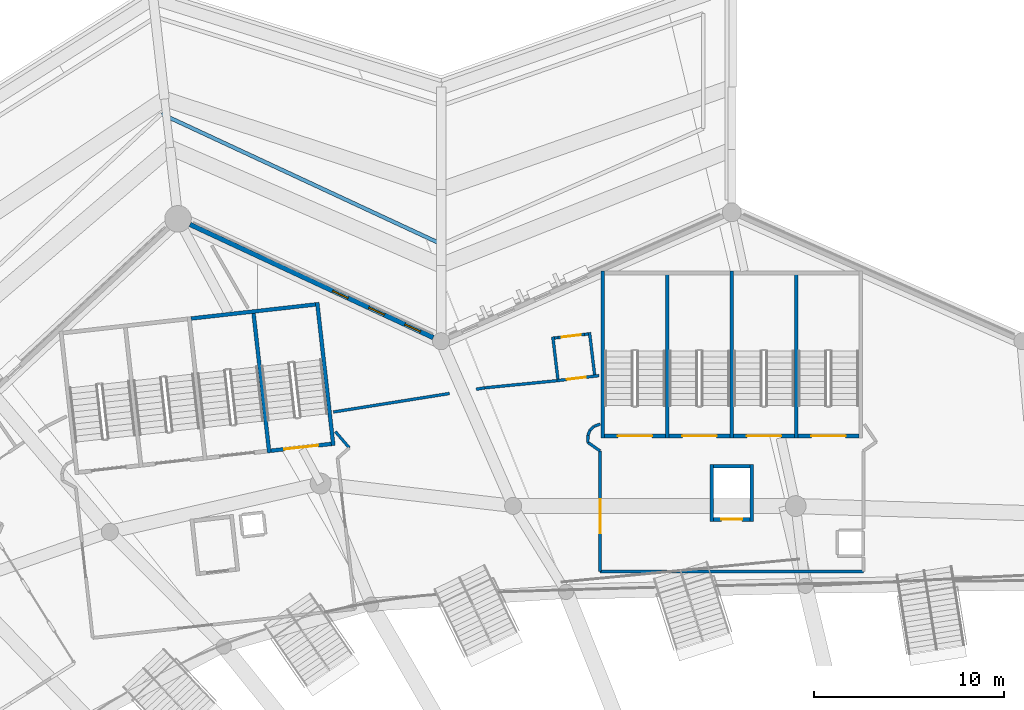
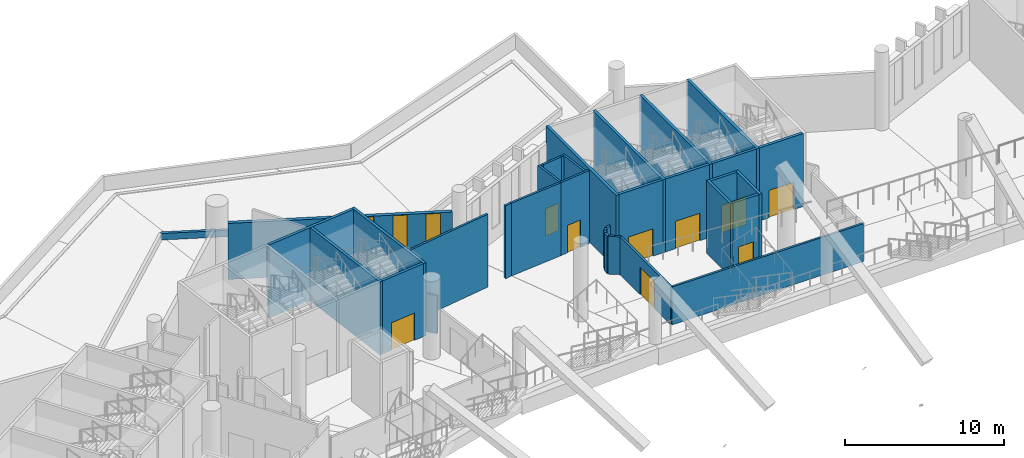
# One storey, part 67 of 173: 35 walls, 9 doors, 3 windows, 12 openings.
"""IFC4 building model written with IfcOpenShell, lengths in metres."""

from ifc_helpers import new_model, si_unit, direction, frame, frame_2d, origin, place, context, subcontext, project, spatial, rectangle, extrude, material, layer, layer_set, type_object, element, fill, save


model = new_model("IFC4")

# Units and contexts
model_context = context("Model", 3, precision=1e-05, world=origin(), true_north=direction((0.0, 1.0)))
body_context = subcontext(model_context, "Body", "Model", "MODEL_VIEW")
ifc_project = project(units=[si_unit("LENGTHUNIT", "METRE"), si_unit("AREAUNIT", "SQUARE_METRE"), si_unit("VOLUMEUNIT", "CUBIC_METRE"), si_unit("PLANEANGLEUNIT", "RADIAN"), si_unit("MASSUNIT", "GRAM", prefix="KILO")], contexts=[model_context])

# Site, building, storey
site_placement = place(None, origin())
site = spatial("IfcSite", under=ifc_project, at=site_placement, CompositionType="ELEMENT")
building_placement = place(site_placement, origin())
building = spatial("IfcBuilding", under=site, at=building_placement, Name="Meseta Stadium", CompositionType="ELEMENT")
storey_placement = place(building_placement, frame((0.0, 0.0, 18.0)))
storey = spatial("IfcBuildingStorey", under=building, at=storey_placement, Name="L03", CompositionType="ELEMENT", Elevation=18.0)

# Walls
ifc_material_1 = material(Name="Concrete C40/50", Category="concrete")
ifc_layer_1 = layer(ifc_material_1, 0.199951171875)
ifc_layer_set_1 = layer_set([ifc_layer_1], Name="Core divider wall 200")
wall_type_1 = type_object("IfcWallType", Name="Core divider wall 200", PredefinedType="SHEAR", material=ifc_layer_set_1)
for number, where, z_axis, x_axis, name in (
    (1, (-19.60009765625, 102.300048828125, 0.0), (0.0, 0.0, 1.0), (0.0, -1.0, 0.0), "Core 11 L03 stair A divider wall"),
    (2, (-26.39990234375, 102.300048828125, 0.0), (0.0, 0.0, 1.0), (0.0, -1.0, 0.0), "Core 11 L03 stair B divider wall"),
):
    element("IfcWall", number, at=place(storey_placement, frame(where, z_axis=z_axis, x_axis=x_axis)), inside=storey, type_object=wall_type_1, Name=name, PredefinedType="SHEAR", context=body_context, shape_type="SweptSolid", body=[
        extrude(rectangle(XDim=8.800048828125, YDim=0.199951171875, at=frame_2d((4.39990234375, 0.0))), origin(), (0.0, 0.0, 1.0), 5.60009765625),
    ])
wall_1_placement = place(storey_placement, frame((-48.241943359375, 100.264892578125, 0.0), z_axis=(0.0, 0.0, 1.0), x_axis=(0.111954577255, -0.993713325176, 0.0)))
element("IfcWall", 3, at=wall_1_placement, inside=storey, type_object=wall_type_1, Name="Core 12 L03 stair A divider wall", PredefinedType="SHEAR", context=body_context, shape_type="SweptSolid", body=[
    extrude(rectangle(XDim=7.599853515625, YDim=0.199951171875, at=frame_2d((3.7998046875, 0.0))), origin(), (0.0, 0.0, 1.0), 5.60009765625),
])
ifc_material_2 = material(Name="Concrete C40/50", Category="concrete")
ifc_layer_2 = layer(ifc_material_2, 0.199951171875)
ifc_layer_set_2 = layer_set([ifc_layer_2], Name="Core shaft wall 200")
wall_type_2 = type_object("IfcWallType", Name="Core shaft wall 200", PredefinedType="SHEAR", material=ifc_layer_set_2)
for number, where, z_axis, x_axis, name in (
    (4, (-23.0, 102.300048828125, 0.0), (0.0, 0.0, 1.0), (0.0, -1.0, 0.0), "Core 11 L03 stair wall shared"),
    (5, (-29.800048828125, 102.300048828125, 0.0), (0.0, 0.0, 1.0), (0.0, -1.0, 0.0), "Core 11 L03 stair wall B-side"),
):
    element("IfcWall", number, at=place(storey_placement, frame(where, z_axis=z_axis, x_axis=x_axis)), inside=storey, type_object=wall_type_2, Name=name, PredefinedType="SHEAR", context=body_context, shape_type="SweptSolid", body=[
        extrude(rectangle(XDim=8.800048828125, YDim=0.199951171875, at=frame_2d((4.39990234375, 0.0))), origin(), (0.0, 0.0, 1.0), 5.60009765625),
    ])

# Wall, opening, door
wall_2_placement = place(storey_placement, frame((-16.300048828125, 93.60009765625, 0.0), z_axis=(0.0, 0.0, 1.0), x_axis=(-1.0, 0.0, 0.0)))
wall_2 = element("IfcWall", 6, at=wall_2_placement, inside=storey, type_object=wall_type_2, Name="Core 11 L03 stair A1 inner end wall", PredefinedType="SHEAR", context=body_context, shape_type="SweptSolid", body=[
    extrude(rectangle(XDim=3.199951171875, YDim=0.199951171875, at=frame_2d((1.60009765625, 0.0))), origin(), (0.0, 0.0, 1.0), 5.60009765625),
])
opening_1_placement = place(wall_2_placement, frame((0.699951171875, 0.0, 0.0)))
opening_1 = element("IfcOpeningElement", 7, at=opening_1_placement, cuts=wall_2, Name="Opening D1384", PredefinedType="OPENING", context=body_context, shape_type="SweptSolid", body=[
    extrude(rectangle(XDim=1.800048828125, YDim=2.10009765625, at=frame_2d((0.89990234375, 1.050048828125))), frame((0.0, 0.10986328125, 0.0), z_axis=(0.0, -1.0, 0.0), x_axis=(1.0, 0.0, 0.0)), (0.0, 0.0, 1.0), 0.219970703125),
])
ifc_material_3 = material(Name="Steel", Category="steel")
door_type_1 = type_object("IfcDoorType", Name="Stair door 1800x2100", OperationType="DOUBLE_DOOR_SINGLE_SWING", PredefinedType="DOOR", material=ifc_material_3)
door_1_placement = place(opening_1_placement, origin())
door_1 = element("IfcDoor", 8, at=door_1_placement, inside=storey, type_object=door_type_1, Name="Stair A1 door 11 L03", OperationType="DOUBLE_DOOR_SINGLE_SWING", OverallHeight=2.10009765625, OverallWidth=1.800048828125, PredefinedType="DOOR", context=body_context, shape_type="SweptSolid", body=[
    extrude(rectangle(XDim=1.800048828125, YDim=2.10009765625, at=frame_2d((0.89990234375, 1.050048828125))), frame((0.0, 0.02490234375, 0.0), z_axis=(0.0, -1.0, 0.0), x_axis=(1.0, 0.0, 0.0)), (0.0, 0.0, 1.0), 0.050048828125),
])
fill(opening_1, door_1)

wall_3_placement = place(storey_placement, frame((-19.699951171875, 93.60009765625, 0.0), z_axis=(0.0, 0.0, 1.0), x_axis=(-1.0, 0.0, 0.0)))
wall_3 = element("IfcWall", 9, at=wall_3_placement, inside=storey, type_object=wall_type_2, Name="Core 11 L03 stair A2 inner end wall", PredefinedType="SHEAR", context=body_context, shape_type="SweptSolid", body=[
    extrude(rectangle(XDim=3.199951171875, YDim=0.199951171875, at=frame_2d((1.60009765625, 0.0))), origin(), (0.0, 0.0, 1.0), 5.60009765625),
])
opening_2_placement = place(wall_3_placement, frame((0.699951171875, 0.0, 0.0)))
opening_2 = element("IfcOpeningElement", 10, at=opening_2_placement, cuts=wall_3, Name="Opening D1383", PredefinedType="OPENING", context=body_context, shape_type="SweptSolid", body=[
    extrude(rectangle(XDim=1.800048828125, YDim=2.10009765625, at=frame_2d((0.89990234375, 1.050048828125))), frame((0.0, 0.10986328125, 0.0), z_axis=(0.0, -1.0, 0.0), x_axis=(1.0, 0.0, 0.0)), (0.0, 0.0, 1.0), 0.219970703125),
])
door_2_placement = place(opening_2_placement, origin())
door_2 = element("IfcDoor", 11, at=door_2_placement, inside=storey, type_object=door_type_1, Name="Stair A2 door 11 L03", OperationType="DOUBLE_DOOR_SINGLE_SWING", OverallHeight=2.10009765625, OverallWidth=1.800048828125, PredefinedType="DOOR", context=body_context, shape_type="SweptSolid", body=[
    extrude(rectangle(XDim=1.800048828125, YDim=2.10009765625, at=frame_2d((0.89990234375, 1.050048828125))), frame((0.0, 0.02490234375, 0.0), z_axis=(0.0, -1.0, 0.0), x_axis=(1.0, 0.0, 0.0)), (0.0, 0.0, 1.0), 0.050048828125),
])
fill(opening_2, door_2)

wall_4_placement = place(storey_placement, frame((-23.10009765625, 93.60009765625, 0.0), z_axis=(0.0, 0.0, 1.0), x_axis=(-1.0, 0.0, 0.0)))
wall_4 = element("IfcWall", 12, at=wall_4_placement, inside=storey, type_object=wall_type_2, Name="Core 11 L03 stair B1 inner end wall", PredefinedType="SHEAR", context=body_context, shape_type="SweptSolid", body=[
    extrude(rectangle(XDim=3.199951171875, YDim=0.199951171875, at=frame_2d((1.60009765625, 0.0))), origin(), (0.0, 0.0, 1.0), 5.60009765625),
])
opening_3_placement = place(wall_4_placement, frame((0.699951171875, 0.0, 0.0)))
opening_3 = element("IfcOpeningElement", 13, at=opening_3_placement, cuts=wall_4, Name="Opening D1382", PredefinedType="OPENING", context=body_context, shape_type="SweptSolid", body=[
    extrude(rectangle(XDim=1.800048828125, YDim=2.10009765625, at=frame_2d((0.89990234375, 1.050048828125))), frame((0.0, 0.10986328125, 0.0), z_axis=(0.0, -1.0, 0.0), x_axis=(1.0, 0.0, 0.0)), (0.0, 0.0, 1.0), 0.219970703125),
])
door_3_placement = place(opening_3_placement, origin())
door_3 = element("IfcDoor", 14, at=door_3_placement, inside=storey, type_object=door_type_1, Name="Stair B1 door 11 L03", OperationType="DOUBLE_DOOR_SINGLE_SWING", OverallHeight=2.10009765625, OverallWidth=1.800048828125, PredefinedType="DOOR", context=body_context, shape_type="SweptSolid", body=[
    extrude(rectangle(XDim=1.800048828125, YDim=2.10009765625, at=frame_2d((0.89990234375, 1.050048828125))), frame((0.0, 0.02490234375, 0.0), z_axis=(0.0, -1.0, 0.0), x_axis=(1.0, 0.0, 0.0)), (0.0, 0.0, 1.0), 0.050048828125),
])
fill(opening_3, door_3)

wall_5_placement = place(storey_placement, frame((-26.5, 93.60009765625, 0.0), z_axis=(0.0, 0.0, 1.0), x_axis=(-1.0, 0.0, 0.0)))
wall_5 = element("IfcWall", 15, at=wall_5_placement, inside=storey, type_object=wall_type_2, Name="Core 11 L03 stair B2 inner end wall", PredefinedType="SHEAR", context=body_context, shape_type="SweptSolid", body=[
    extrude(rectangle(XDim=3.199951171875, YDim=0.199951171875, at=frame_2d((1.60009765625, 0.0))), origin(), (0.0, 0.0, 1.0), 5.60009765625),
])
opening_4_placement = place(wall_5_placement, frame((0.699951171875, 0.0, 0.0)))
opening_4 = element("IfcOpeningElement", 16, at=opening_4_placement, cuts=wall_5, Name="Opening D1381", PredefinedType="OPENING", context=body_context, shape_type="SweptSolid", body=[
    extrude(rectangle(XDim=1.800048828125, YDim=2.10009765625, at=frame_2d((0.89990234375, 1.050048828125))), frame((0.0, 0.10986328125, 0.0), z_axis=(0.0, -1.0, 0.0), x_axis=(1.0, 0.0, 0.0)), (0.0, 0.0, 1.0), 0.219970703125),
])
door_4_placement = place(opening_4_placement, origin())
door_4 = element("IfcDoor", 17, at=door_4_placement, inside=storey, type_object=door_type_1, Name="Stair B2 door 11 L03", OperationType="DOUBLE_DOOR_SINGLE_SWING", OverallHeight=2.10009765625, OverallWidth=1.800048828125, PredefinedType="DOOR", context=body_context, shape_type="SweptSolid", body=[
    extrude(rectangle(XDim=1.800048828125, YDim=2.10009765625, at=frame_2d((0.89990234375, 1.050048828125))), frame((0.0, 0.02490234375, 0.0), z_axis=(0.0, -1.0, 0.0), x_axis=(1.0, 0.0, 0.0)), (0.0, 0.0, 1.0), 0.050048828125),
])
fill(opening_4, door_4)

# Walls
for number, where, z_axis, x_axis, name in (
    (18, (-21.949951171875, 92.10009765625, 0.0), (0.0, 0.0, 1.0), (0.0, -1.0, 0.0), "Core 11 L03 lift shaft wall left"),
    (19, (-24.050048828125, 92.10009765625, 0.0), (0.0, 0.0, 1.0), (0.0, -1.0, 0.0), "Core 11 L03 lift shaft wall right"),
):
    element("IfcWall", number, at=place(storey_placement, frame(where, z_axis=z_axis, x_axis=x_axis)), inside=storey, type_object=wall_type_2, Name=name, PredefinedType="SHEAR", context=body_context, shape_type="SweptSolid", body=[
        extrude(rectangle(XDim=3.0, YDim=0.199951171875, at=frame_2d((1.5, 0.0))), origin(), (0.0, 0.0, 1.0), 5.60009765625),
    ])
wall_6_placement = place(storey_placement, frame((-22.050048828125, 92.0, 0.0), z_axis=(0.0, 0.0, 1.0), x_axis=(-1.0, 0.0, 0.0)))
element("IfcWall", 20, at=wall_6_placement, inside=storey, type_object=wall_type_2, Name="Core 11 L03 lift shaft back wall", PredefinedType="SHEAR", context=body_context, shape_type="SweptSolid", body=[
    extrude(rectangle(XDim=1.89990234375, YDim=0.199951171875, at=frame_2d((0.949951171875, 0.0))), origin(), (0.0, 0.0, 1.0), 5.60009765625),
])

# Wall, opening, door
wall_7_placement = place(storey_placement, frame((-22.050048828125, 89.199951171875, 0.0), z_axis=(0.0, 0.0, 1.0), x_axis=(-1.0, 0.0, 0.0)))
wall_7 = element("IfcWall", 21, at=wall_7_placement, inside=storey, type_object=wall_type_2, Name="Core 11 L03 lift shaft front wall", PredefinedType="SHEAR", context=body_context, shape_type="SweptSolid", body=[
    extrude(rectangle(XDim=1.89990234375, YDim=0.199951171875, at=frame_2d((0.949951171875, 0.0))), origin(), (0.0, 0.0, 1.0), 5.60009765625),
])
opening_5_placement = place(wall_7_placement, frame((0.39990234375, 0.0, 0.0)))
opening_5 = element("IfcOpeningElement", 22, at=opening_5_placement, cuts=wall_7, Name="Opening LD61", PredefinedType="OPENING", context=body_context, shape_type="SweptSolid", body=[
    extrude(rectangle(XDim=1.10009765625, YDim=2.10009765625, at=frame_2d((0.550048828125, 1.050048828125))), frame((0.0, 0.10986328125, 0.0), z_axis=(0.0, -1.0, 0.0), x_axis=(1.0, 0.0, 0.0)), (0.0, 0.0, 1.0), 0.219970703125),
])
ifc_material_4 = material(Name="Steel", Category="steel")
door_type_2 = type_object("IfcDoorType", Name="Lift landing door 1100x2100", OperationType="SLIDING_TO_LEFT", PredefinedType="DOOR", material=ifc_material_4)
door_5_placement = place(opening_5_placement, origin())
door_5 = element("IfcDoor", 23, at=door_5_placement, inside=storey, type_object=door_type_2, Name="Lift landing door LD61", OperationType="SLIDING_TO_LEFT", OverallHeight=2.10009765625, OverallWidth=1.10009765625, PredefinedType="DOOR", context=body_context, shape_type="SweptSolid", body=[
    extrude(rectangle(XDim=1.10009765625, YDim=2.10009765625, at=frame_2d((0.550048828125, 1.050048828125))), frame((0.0, 0.02490234375, 0.0), z_axis=(0.0, -1.0, 0.0), x_axis=(1.0, 0.0, 0.0)), (0.0, 0.0, 1.0), 0.050048828125),
])
fill(opening_5, door_5)

# Walls
wall_8_placement = place(storey_placement, frame((-44.86328125, 100.645751953125, 0.0), z_axis=(0.0, 0.0, 1.0), x_axis=(0.111951003472, -0.993713727802, 0.0)))
element("IfcWall", 24, at=wall_8_placement, inside=storey, type_object=wall_type_2, Name="Core 12 L03 stair wall A-side", PredefinedType="SHEAR", context=body_context, shape_type="SweptSolid", body=[
    extrude(rectangle(XDim=7.60009765625, YDim=0.199951171875, at=frame_2d((3.800048828125, 0.0))), origin(), (0.0, 0.0, 1.0), 5.60009765625),
])
wall_9_placement = place(storey_placement, frame((-44.951416015625, 100.53515625, 0.0), z_axis=(0.0, 0.0, 1.0), x_axis=(-0.993711575492, -0.111970106426, 0.0)))
element("IfcWall", 25, at=wall_9_placement, inside=storey, type_object=wall_type_2, Name="Core 12 L03 stair A outer end wall", PredefinedType="SHEAR", context=body_context, shape_type="SweptSolid", body=[
    extrude(rectangle(XDim=6.60009765625, YDim=0.199951171875, at=frame_2d((3.300048828125, 0.0))), origin(), (0.0, 0.0, 1.0), 5.60009765625),
])

# Wall, opening, door
wall_10_placement = place(storey_placement, frame((-44.123046875, 93.181640625, 0.0), z_axis=(0.0, 0.0, 1.0), x_axis=(-0.993717005286, -0.11192190762, 0.0)))
wall_10 = element("IfcWall", 26, at=wall_10_placement, inside=storey, type_object=wall_type_2, Name="Core 12 L03 stair A1 inner end wall", PredefinedType="SHEAR", context=body_context, shape_type="SweptSolid", body=[
    extrude(rectangle(XDim=3.199951171875, YDim=0.199951171875, at=frame_2d((1.60009765625, 0.0))), origin(), (0.0, 0.0, 1.0), 5.60009765625),
])
opening_6_placement = place(wall_10_placement, frame((0.699951171875, 0.0, 0.0)))
opening_6 = element("IfcOpeningElement", 27, at=opening_6_placement, cuts=wall_10, Name="Opening D1370", PredefinedType="OPENING", context=body_context, shape_type="SweptSolid", body=[
    extrude(rectangle(XDim=1.800048828125, YDim=2.10009765625, at=frame_2d((0.89990234375, 1.050048828125))), frame((0.0, 0.10986328125, 0.0), z_axis=(0.0, -1.0, 0.0), x_axis=(1.0, 0.0, 0.0)), (0.0, 0.0, 1.0), 0.219970703125),
])
door_6_placement = place(opening_6_placement, origin())
door_6 = element("IfcDoor", 28, at=door_6_placement, inside=storey, type_object=door_type_1, Name="Stair A1 door 12 L03", OperationType="DOUBLE_DOOR_SINGLE_SWING", OverallHeight=2.10009765625, OverallWidth=1.800048828125, PredefinedType="DOOR", context=body_context, shape_type="SweptSolid", body=[
    extrude(rectangle(XDim=1.800048828125, YDim=2.10009765625, at=frame_2d((0.89990234375, 1.050048828125))), frame((0.0, 0.02490234375, 0.0), z_axis=(0.0, -1.0, 0.0), x_axis=(1.0, 0.0, 0.0)), (0.0, 0.0, 1.0), 0.050048828125),
])
fill(opening_6, door_6)

ifc_material_5 = material(Name="Masonry blockwork", Category="masonry")
ifc_layer_3 = layer(ifc_material_5, 0.14990234375)
ifc_layer_set_3 = layer_set([ifc_layer_3], Name="Partition 150")
wall_type_3 = type_object("IfcWallType", Name="Partition 150", PredefinedType="PARTITIONING", material=ifc_layer_set_3)
wall_11_placement = place(storey_placement, frame((-30.0, 96.783447265625, 0.0), z_axis=(0.0, 0.0, 1.0), x_axis=(-0.992839520799, -0.119455790735, 0.0)))
wall_11 = element("IfcWall", 29, at=wall_11_placement, inside=storey, type_object=wall_type_3, Name="Partition L03 L03-cell10-1-0", PredefinedType="PARTITIONING", context=body_context, shape_type="SweptSolid", body=[
    extrude(rectangle(XDim=2.231689453125, YDim=0.14990234375, at=frame_2d((1.11572265625, 0.0))), origin(), (0.0, 0.0, 1.0), 5.60009765625),
])
opening_7_placement = place(wall_11_placement, frame((0.699951171875, 0.0, 0.0)))
opening_7 = element("IfcOpeningElement", 30, at=opening_7_placement, cuts=wall_11, Name="Opening D1379", PredefinedType="OPENING", context=body_context, shape_type="SweptSolid", body=[
    extrude(rectangle(XDim=1.0, YDim=2.10009765625, at=frame_2d((0.5, 1.050048828125))), frame((0.0, 0.0849609375, 0.0), z_axis=(0.0, -1.0, 0.0), x_axis=(1.0, 0.0, 0.0)), (0.0, 0.0, 1.0), 0.169921875),
])
ifc_material_6 = material(Name="Steel", Category="steel")
door_type_3 = type_object("IfcDoorType", Name="Fire door 1000x2100 EI2 60", OperationType="NOTDEFINED", PredefinedType="DOOR", material=ifc_material_6)
door_7_placement = place(opening_7_placement, origin())
door_7 = element("IfcDoor", 31, at=door_7_placement, inside=storey, type_object=door_type_3, Name="Room door L03 L03-cell10-1-0", OperationType="SINGLE_SWING_RIGHT", OverallHeight=2.10009765625, OverallWidth=1.0, PredefinedType="DOOR", context=body_context, shape_type="SweptSolid", body=[
    extrude(rectangle(XDim=1.0, YDim=2.10009765625, at=frame_2d((0.5, 1.050048828125))), frame((0.0, 0.02490234375, 0.0), z_axis=(0.0, -1.0, 0.0), x_axis=(1.0, 0.0, 0.0)), (0.0, 0.0, 1.0), 0.050048828125),
])
fill(opening_7, door_7)

# Walls
wall_12_placement = place(storey_placement, frame((-32.2158203125, 96.516845703125, 0.0), z_axis=(0.0, 0.0, 1.0), x_axis=(-0.995135010831, -0.098520608089, 0.0)))
element("IfcWall", 32, at=wall_12_placement, inside=storey, type_object=wall_type_3, Name="Partition L03 L03-cell10-1-0", PredefinedType="PARTITIONING", context=body_context, shape_type="SweptSolid", body=[
    extrude(rectangle(XDim=3.811279296875, YDim=0.14990234375, at=frame_2d((1.90576171875, 0.0))), origin(), (0.0, 0.0, 1.0), 5.60009765625),
])
wall_13_placement = place(storey_placement, frame((-36.008544921875, 96.141357421875, 0.0), z_axis=(0.0, 0.0, 1.0), x_axis=(-0.987478956235, -0.157750787614, 0.0)))
element("IfcWall", 33, at=wall_13_placement, inside=storey, type_object=wall_type_3, Name="Partition L03 L03-cell10-1-0", PredefinedType="PARTITIONING", context=body_context, shape_type="SweptSolid", body=[
    extrude(rectangle(XDim=0.4765625, YDim=0.14990234375, at=frame_2d((0.23828125, 0.0))), origin(), (0.0, 0.0, 1.0), 5.60009765625),
])
wall_14_placement = place(storey_placement, frame((-37.891357421875, 95.841064453125, 0.0), z_axis=(0.0, 0.0, 1.0), x_axis=(-0.987522859615, -0.157475717929, 0.0)))
element("IfcWall", 34, at=wall_14_placement, inside=storey, type_object=wall_type_3, Name="Partition L03 L03-cell10-1-0", PredefinedType="PARTITIONING", context=body_context, shape_type="SweptSolid", body=[
    extrude(rectangle(XDim=6.19677734375, YDim=0.14990234375, at=frame_2d((3.098388671875, 0.0))), origin(), (0.0, 0.0, 1.0), 5.60009765625),
])
wall_15_placement = place(storey_placement, frame((-29.9384765625, 94.228759765625, 0.0), z_axis=(0.0, 0.0, 1.0), x_axis=(-0.937674325327, -0.347515265308, 0.0)))
element("IfcWall", 35, at=wall_15_placement, inside=storey, type_object=wall_type_3, Name="Stair vestibule wall L03 core 11", PredefinedType="PARTITIONING", context=body_context, shape_type="SweptSolid", body=[
    extrude(rectangle(XDim=0.356201171875, YDim=0.14990234375, at=frame_2d((0.17822265625, 0.0))), origin(), (0.0, 0.0, 1.0), 2.9052734375),
])
wall_16_placement = place(storey_placement, frame((-30.2724609375, 94.10498046875, 0.0), z_axis=(0.0, 0.0, 1.0), x_axis=(-0.707534941396, -0.706678361564, 0.0)))
element("IfcWall", 36, at=wall_16_placement, inside=storey, type_object=wall_type_3, Name="Stair vestibule wall L03 core 11", PredefinedType="PARTITIONING", context=body_context, shape_type="SweptSolid", body=[
    extrude(rectangle(XDim=0.284912109375, YDim=0.14990234375, at=frame_2d((0.142578125, 0.0))), origin(), (0.0, 0.0, 1.0), 2.9052734375),
])
wall_17_placement = place(storey_placement, frame((-30.47412109375, 93.903564453125, 0.0), z_axis=(0.0, 0.0, 1.0), x_axis=(-0.382275228123, -0.924048510611, 0.0)))
element("IfcWall", 37, at=wall_17_placement, inside=storey, type_object=wall_type_3, Name="Stair vestibule wall L03 core 11", PredefinedType="PARTITIONING", context=body_context, shape_type="SweptSolid", body=[
    extrude(rectangle(XDim=0.28173828125, YDim=0.14990234375, at=frame_2d((0.140869140625, 0.0))), origin(), (0.0, 0.0, 1.0), 2.9052734375),
])
wall_18_placement = place(storey_placement, frame((-30.581787109375, 93.643310546875, 0.0), z_axis=(0.0, 0.0, 1.0), x_axis=(-0.038982051143, -0.999239910977, 0.0)))
element("IfcWall", 38, at=wall_18_placement, inside=storey, type_object=wall_type_3, Name="Stair vestibule wall L03 core 11", PredefinedType="PARTITIONING", context=body_context, shape_type="SweptSolid", body=[
    extrude(rectangle(XDim=0.375732421875, YDim=0.14990234375, at=frame_2d((0.18798828125, 0.0))), origin(), (0.0, 0.0, 1.0), 2.9052734375),
])
wall_19_placement = place(storey_placement, frame((-30.596435546875, 93.267822265625, 0.0), z_axis=(0.0, 0.0, 1.0), x_axis=(0.817731616096, -0.57559969079, 0.0)))
element("IfcWall", 39, at=wall_19_placement, inside=storey, type_object=wall_type_3, Name="Stair vestibule wall L03 core 11", PredefinedType="PARTITIONING", context=body_context, shape_type="SweptSolid", body=[
    extrude(rectangle(XDim=0.796630859375, YDim=0.14990234375, at=frame_2d((0.3984375, 0.0))), origin(), (0.0, 0.0, 1.0), 2.9052734375),
])

# Wall, opening, door
wall_20_placement = place(storey_placement, frame((-29.945068359375, 92.809326171875, 0.0), z_axis=(0.0, 0.0, 1.0), x_axis=(0.0, -1.0, 0.0)))
wall_20 = element("IfcWall", 40, at=wall_20_placement, inside=storey, type_object=wall_type_3, Name="Stair vestibule wall L03 core 11", PredefinedType="PARTITIONING", context=body_context, shape_type="SweptSolid", body=[
    extrude(rectangle(XDim=6.354248046875, YDim=0.14990234375, at=frame_2d((3.17724609375, 0.0))), origin(), (0.0, 0.0, 1.0), 2.9052734375),
])
opening_8_placement = place(wall_20_placement, frame((2.550048828125, 0.0, 0.0)))
opening_8 = element("IfcOpeningElement", 41, at=opening_8_placement, cuts=wall_20, Name="Opening D1380", PredefinedType="OPENING", context=body_context, shape_type="SweptSolid", body=[
    extrude(rectangle(XDim=1.800048828125, YDim=2.10009765625, at=frame_2d((0.89990234375, 1.050048828125))), frame((0.0, 0.0849609375, 0.0), z_axis=(0.0, -1.0, 0.0), x_axis=(1.0, 0.0, 0.0)), (0.0, 0.0, 1.0), 0.169921875),
])
ifc_material_7 = material(Name="Steel", Category="steel")
door_type_4 = type_object("IfcDoorType", Name="Fire double door 1800x2100 EI2 60", OperationType="DOUBLE_DOOR_SINGLE_SWING", PredefinedType="DOOR", material=ifc_material_7)
door_8_placement = place(opening_8_placement, origin())
door_8 = element("IfcDoor", 42, at=door_8_placement, inside=storey, type_object=door_type_4, Name="Stair vestibule door L03 core 11", OperationType="DOUBLE_DOOR_SINGLE_SWING", OverallHeight=2.10009765625, OverallWidth=1.800048828125, PredefinedType="DOOR", context=body_context, shape_type="SweptSolid", body=[
    extrude(rectangle(XDim=1.800048828125, YDim=2.10009765625, at=frame_2d((0.89990234375, 1.050048828125))), frame((0.0, 0.02490234375, 0.0), z_axis=(0.0, -1.0, 0.0), x_axis=(1.0, 0.0, 0.0)), (0.0, 0.0, 1.0), 0.050048828125),
])
fill(opening_8, door_8)

# Walls
wall_21_placement = place(storey_placement, frame((-29.945068359375, 86.455078125, 0.0), z_axis=(0.0, 0.0, 1.0), x_axis=(1.0, 0.0, 0.0)))
element("IfcWall", 43, at=wall_21_placement, inside=storey, type_object=wall_type_3, Name="Stair vestibule wall L03 core 11", PredefinedType="PARTITIONING", context=body_context, shape_type="SweptSolid", body=[
    extrude(rectangle(XDim=13.89013671875, YDim=0.14990234375, at=frame_2d((6.945068359375, 0.0))), origin(), (0.0, 0.0, 1.0), 2.9052734375),
])
wall_22_placement = place(storey_placement, frame((-43.169921875, 92.97509765625, 0.0), z_axis=(0.0, 0.0, 1.0), x_axis=(-0.651825129524, 0.75836930352, 0.0)))
element("IfcWall", 44, at=wall_22_placement, inside=storey, type_object=wall_type_3, Name="Stair vestibule wall L03 core 12", PredefinedType="PARTITIONING", context=body_context, shape_type="SweptSolid", body=[
    extrude(rectangle(XDim=1.12744140625, YDim=0.14990234375, at=frame_2d((0.563720703125, 0.0))), origin(), (0.0, 0.0, 1.0), 2.913818359375),
])
for number, where, z_axis, x_axis, name in (
    (45, (-30.232421875, 96.8310546875, 0.0), (0.0, 0.0, 1.0), (-0.119359153818, 0.992851143123, 0.0), "Partition L03 L03-cell10-1-0 vestibule"),
    (46, (-32.16845703125, 96.59814453125, 0.0), (0.0, 0.0, 1.0), (-0.119359153818, 0.992851143123, 0.0), "Partition L03 L03-cell10-1-0 vestibule"),
):
    element("IfcWall", number, at=place(storey_placement, frame(where, z_axis=z_axis, x_axis=x_axis)), inside=storey, type_object=wall_type_3, Name=name, PredefinedType="PARTITIONING", context=body_context, shape_type="SweptSolid", body=[
        extrude(rectangle(XDim=2.25, YDim=0.14990234375, at=frame_2d((1.125, 0.0))), origin(), (0.0, 0.0, 1.0), 5.60009765625),
    ])
wall_23_placement = place(storey_placement, frame((-30.56640625, 98.9814453125, 0.0), z_axis=(0.0, 0.0, 1.0), x_axis=(-0.992830592569, -0.119529973061, 0.0)))
element("IfcWall", 47, at=wall_23_placement, inside=storey, type_object=wall_type_3, Name="Partition L03 L03-cell10-1-0 vestibule", PredefinedType="PARTITIONING", context=body_context, shape_type="SweptSolid", body=[
    extrude(rectangle(XDim=0.2001953125, YDim=0.14990234375, at=frame_2d((0.10009765625, 0.0))), origin(), (0.0, 0.0, 1.0), 5.60009765625),
])

# Wall, opening, door
wall_24_placement = place(storey_placement, frame((-30.76513671875, 98.95751953125, 0.0), z_axis=(0.0, 0.0, 1.0), x_axis=(-0.99283882799, -0.119461548774, 0.0)))
wall_24 = element("IfcWall", 48, at=wall_24_placement, inside=storey, type_object=wall_type_3, Name="Partition L03 L03-cell10-1-0 vestibule", PredefinedType="PARTITIONING", context=body_context, shape_type="SweptSolid", body=[
    extrude(rectangle(XDim=1.39990234375, YDim=0.14990234375, at=frame_2d((0.699951171875, 0.0))), origin(), (0.0, 0.0, 1.0), 5.60009765625),
])
opening_9_placement = place(wall_24_placement, frame((0.199951171875, 0.0, 0.0)))
opening_9 = element("IfcOpeningElement", 49, at=opening_9_placement, cuts=wall_24, Name="Opening D1377", PredefinedType="OPENING", context=body_context, shape_type="SweptSolid", body=[
    extrude(rectangle(XDim=1.0, YDim=2.10009765625, at=frame_2d((0.5, 1.050048828125))), frame((0.0, 0.0849609375, 0.0), z_axis=(0.0, -1.0, 0.0), x_axis=(1.0, 0.0, 0.0)), (0.0, 0.0, 1.0), 0.169921875),
])
door_9_placement = place(opening_9_placement, origin())
door_9 = element("IfcDoor", 50, at=door_9_placement, inside=storey, type_object=door_type_3, Name="Vestibule door L03 L03-cell10-1-0", OperationType="SINGLE_SWING_RIGHT", OverallHeight=2.10009765625, OverallWidth=1.0, PredefinedType="DOOR", context=body_context, shape_type="SweptSolid", body=[
    extrude(rectangle(XDim=1.0, YDim=2.10009765625, at=frame_2d((0.5, 1.050048828125))), frame((0.0, 0.02490234375, 0.0), z_axis=(0.0, -1.0, 0.0), x_axis=(1.0, 0.0, 0.0)), (0.0, 0.0, 1.0), 0.050048828125),
])
fill(opening_9, door_9)

# Walls
wall_25_placement = place(storey_placement, frame((-32.155029296875, 98.790283203125, 0.0), z_axis=(0.0, 0.0, 1.0), x_axis=(-0.992957519171, -0.118470946322, 0.0)))
element("IfcWall", 51, at=wall_25_placement, inside=storey, type_object=wall_type_3, Name="Partition L03 L03-cell10-1-0 vestibule", PredefinedType="PARTITIONING", context=body_context, shape_type="SweptSolid", body=[
    extrude(rectangle(XDim=0.199951171875, YDim=0.14990234375, at=frame_2d((0.10009765625, 0.0))), origin(), (0.0, 0.0, 1.0), 5.60009765625),
])
ifc_material_8 = material(Name="Precast concrete C40/50", Category="concrete")
ifc_layer_4 = layer(ifc_material_8, 0.199951171875)
ifc_layer_set_4 = layer_set([ifc_layer_4], Name="Planter kerb 200")
wall_type_4 = type_object("IfcWallType", Name="Planter kerb 200", PredefinedType="USERDEFINED", material=ifc_layer_set_4)
wall_26_placement = place(storey_placement, frame((-38.287353515625, 103.70703125, 0.0), z_axis=(0.0, 0.0, 1.0), x_axis=(-0.906698889722, 0.421778524083, 0.0)))
element("IfcWall", 52, at=wall_26_placement, inside=storey, type_object=wall_type_4, Name="Planter kerb 3.1.4", ObjectType="PLANTER", PredefinedType="USERDEFINED", context=body_context, shape_type="SweptSolid", body=[
    extrude(rectangle(XDim=16.31689453125, YDim=0.199951171875, at=frame_2d((8.158447265625, 0.0))), origin(), (0.0, 0.0, 1.0), 0.5),
])

# Wall, openings, windows
ifc_material_9 = material(Name="White precast concrete C40/50", Category="concrete")
ifc_layer_5 = layer(ifc_material_9, 0.25)
ifc_layer_set_5 = layer_set([ifc_layer_5], Name="Pleated panel wall 250")
wall_type_5 = type_object("IfcWallType", Name="Pleated panel wall 250", PredefinedType="SOLIDWALL", material=ifc_layer_set_5)
wall_27_placement = place(storey_placement, frame((-51.56884765625, 104.7568359375, 0.0), z_axis=(0.0, 0.0, 1.0), x_axis=(0.906698705786, -0.421778919491, 0.0)))
wall_27 = element("IfcWall", 53, at=wall_27_placement, inside=storey, type_object=wall_type_5, Name="Pleated facade panel L03 F21", PredefinedType="SOLIDWALL", context=body_context, shape_type="SweptSolid", body=[
    extrude(rectangle(XDim=14.14794921875, YDim=0.25, at=frame_2d((7.073974609375, 0.0))), origin(), (0.0, 0.0, 1.0), 4.300048828125),
])
opening_10_placement = place(wall_27_placement, frame((12.49755859375, 0.0, 1.0)))
opening_10 = element("IfcOpeningElement", 54, at=opening_10_placement, cuts=wall_27, Name="Opening W092", PredefinedType="OPENING", context=body_context, shape_type="SweptSolid", body=[
    extrude(rectangle(XDim=0.89990234375, YDim=3.25, at=frame_2d((0.449951171875, 1.625))), frame((0.0, 0.135009765625, 0.0), z_axis=(0.0, -1.0, 0.0), x_axis=(1.0, 0.0, 0.0)), (0.0, 0.0, 1.0), 0.27001953125),
])
opening_11_placement = place(wall_27_placement, frame((10.3974609375, 0.0, 1.0)))
opening_11 = element("IfcOpeningElement", 55, at=opening_11_placement, cuts=wall_27, Name="Opening W091", PredefinedType="OPENING", context=body_context, shape_type="SweptSolid", body=[
    extrude(rectangle(XDim=0.89990234375, YDim=3.25, at=frame_2d((0.449951171875, 1.625))), frame((0.0, 0.135009765625, 0.0), z_axis=(0.0, -1.0, 0.0), x_axis=(1.0, 0.0, 0.0)), (0.0, 0.0, 1.0), 0.27001953125),
])
opening_12_placement = place(wall_27_placement, frame((8.29736328125, 0.0, 1.0)))
opening_12 = element("IfcOpeningElement", 56, at=opening_12_placement, cuts=wall_27, Name="Opening W090", PredefinedType="OPENING", context=body_context, shape_type="SweptSolid", body=[
    extrude(rectangle(XDim=0.89990234375, YDim=3.25, at=frame_2d((0.449951171875, 1.625))), frame((0.0, 0.135009765625, 0.0), z_axis=(0.0, -1.0, 0.0), x_axis=(1.0, 0.0, 0.0)), (0.0, 0.0, 1.0), 0.27001953125),
])
ifc_material_10 = material(Name="Aluminium", Category="aluminium")
window_type = type_object("IfcWindowType", Name="Slot window 900x3250", PartitioningType="SINGLE_PANEL", PredefinedType="WINDOW", material=ifc_material_10)
window_1_placement = place(opening_10_placement, origin())
window_1 = element("IfcWindow", 57, at=window_1_placement, inside=storey, type_object=window_type, Name="Slot window L03 F21.1", OverallHeight=3.25, OverallWidth=0.89990234375, PartitioningType="SINGLE_PANEL", PredefinedType="WINDOW", context=body_context, shape_type="SweptSolid", body=[
    extrude(rectangle(XDim=0.89990234375, YDim=3.25, at=frame_2d((0.449951171875, 1.625))), frame((0.0, 0.030029296875, 0.0), z_axis=(0.0, -1.0, 0.0), x_axis=(1.0, 0.0, 0.0)), (0.0, 0.0, 1.0), 0.06005859375),
])
fill(opening_10, window_1)
window_2_placement = place(opening_11_placement, origin())
window_2 = element("IfcWindow", 58, at=window_2_placement, inside=storey, type_object=window_type, Name="Slot window L03 F21.2", OverallHeight=3.25, OverallWidth=0.89990234375, PartitioningType="SINGLE_PANEL", PredefinedType="WINDOW", context=body_context, shape_type="SweptSolid", body=[
    extrude(rectangle(XDim=0.89990234375, YDim=3.25, at=frame_2d((0.449951171875, 1.625))), frame((0.0, 0.030029296875, 0.0), z_axis=(0.0, -1.0, 0.0), x_axis=(1.0, 0.0, 0.0)), (0.0, 0.0, 1.0), 0.06005859375),
])
fill(opening_11, window_2)
window_3_placement = place(opening_12_placement, origin())
window_3 = element("IfcWindow", 59, at=window_3_placement, inside=storey, type_object=window_type, Name="Slot window L03 F21.3", OverallHeight=3.25, OverallWidth=0.89990234375, PartitioningType="SINGLE_PANEL", PredefinedType="WINDOW", context=body_context, shape_type="SweptSolid", body=[
    extrude(rectangle(XDim=0.89990234375, YDim=3.25, at=frame_2d((0.449951171875, 1.625))), frame((0.0, 0.030029296875, 0.0), z_axis=(0.0, -1.0, 0.0), x_axis=(1.0, 0.0, 0.0)), (0.0, 0.0, 1.0), 0.06005859375),
])
fill(opening_12, window_3)

save(model, "model.ifc")
